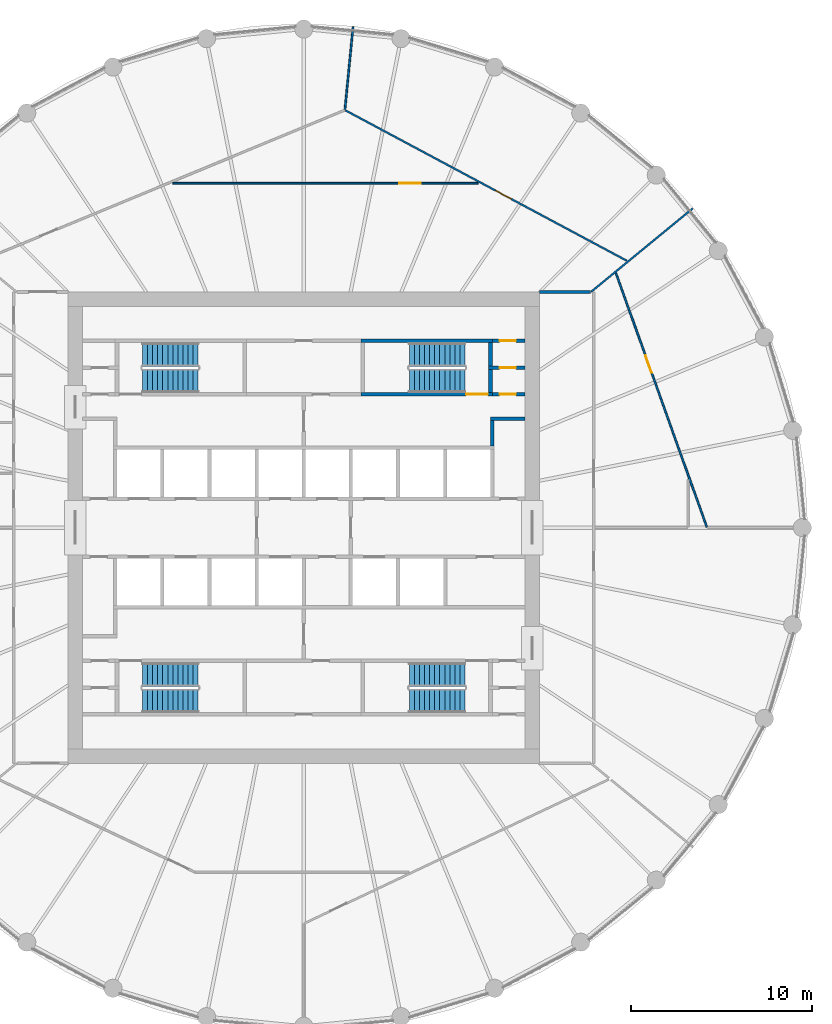
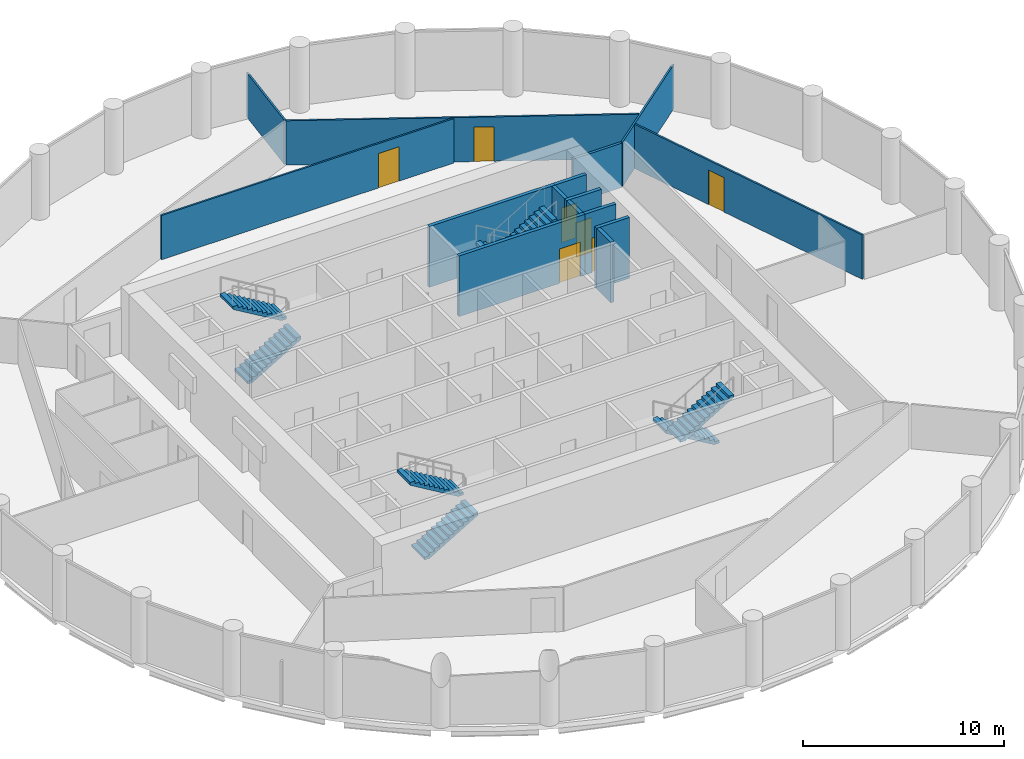
# One storey, part 7 of 8: 15 walls, 8 stair flights, 7 doors, 7 openings, 4 elements without a shape of their own.
"""IFC4 building model written with IfcOpenShell, lengths in metres."""

from ifc_helpers import new_model, si_unit, direction, frame, frame_2d, origin, place, context, subcontext, project, spatial, polyline, rectangle, outline, extrude, material, layer, layer_set, type_object, element, fill, aggregate, save


model = new_model("IFC4")

# Units and contexts
model_context = context("Model", 3, precision=1e-05, world=origin(), true_north=direction((0.0, 1.0)))
body_context = subcontext(model_context, "Body", "Model", "MODEL_VIEW")
ifc_project = project(units=[si_unit("LENGTHUNIT", "METRE"), si_unit("AREAUNIT", "SQUARE_METRE"), si_unit("VOLUMEUNIT", "CUBIC_METRE"), si_unit("PLANEANGLEUNIT", "RADIAN"), si_unit("MASSUNIT", "GRAM", prefix="KILO")], contexts=[model_context])

# Site, building, storey
site_placement = place(None, origin())
site = spatial("IfcSite", under=ifc_project, at=site_placement, CompositionType="ELEMENT")
building_placement = place(site_placement, origin())
building = spatial("IfcBuilding", under=site, at=building_placement, Name="Corvane Civic Tower", CompositionType="ELEMENT")
storey_placement = place(building_placement, frame((0.0, 0.0, 241.5)))
storey = spatial("IfcBuildingStorey", under=building, at=storey_placement, Name="L57", CompositionType="ELEMENT", Elevation=241.5)

# Wall, opening, door
ifc_material_1 = material(Name="Concrete C30/37", Category="concrete")
ifc_layer_1 = layer(ifc_material_1, 0.199951171875)
ifc_layer_set_1 = layer_set([ifc_layer_1], Name="Concrete C30/37")
wall_type_1 = type_object("IfcWallType", Name="CR-WALL-200", PredefinedType="PARTITIONING", material=ifc_layer_set_1)
wall_1_placement = place(storey_placement, frame((10.39990234375, 7.35009765625, 0.0), z_axis=(0.0, 0.0, 1.0), x_axis=(1.0, 0.0, 0.0)))
wall_1 = element("IfcWall", 1, at=wall_1_placement, inside=storey, type_object=wall_type_1, Name="L57 core partition wall", PredefinedType="PARTITIONING", context=body_context, shape_type="SweptSolid", body=[
    extrude(rectangle(XDim=1.800048828125, YDim=0.199951171875, at=frame_2d((0.89990234375, 0.0))), origin(), (0.0, 0.0, 1.0), 3.699951171875),
])
opening_1_placement = place(wall_1_placement, frame((0.39990234375, 0.0, 0.0)))
opening_1 = element("IfcOpeningElement", 2, at=opening_1_placement, cuts=wall_1, Name="Opening L57.C14", PredefinedType="OPENING", context=body_context, shape_type="SweptSolid", body=[
    extrude(rectangle(XDim=0.89990234375, YDim=2.10009765625, at=frame_2d((0.449951171875, 1.050048828125))), frame((0.0, 0.10986328125, 0.0), z_axis=(0.0, -1.0, 0.0), x_axis=(1.0, 0.0, 0.0)), (0.0, 0.0, 1.0), 0.219970703125),
])
ifc_material_2 = material(Name="Steel fire door leaf", Category="steel")
door_type_1 = type_object("IfcDoorType", Name="CR-DOOR-900", OperationType="SINGLE_SWING_LEFT", PredefinedType="DOOR", material=ifc_material_2)
door_1_placement = place(opening_1_placement, origin())
door_1 = element("IfcDoor", 3, at=door_1_placement, inside=storey, type_object=door_type_1, Name="L57 door", OperationType="SINGLE_SWING_LEFT", OverallHeight=2.10009765625, OverallWidth=0.89990234375, PredefinedType="DOOR", context=body_context, shape_type="SweptSolid", body=[
    extrude(rectangle(XDim=0.89990234375, YDim=2.10009765625, at=frame_2d((0.449951171875, 1.050048828125))), frame((0.0, 0.02490234375, 0.0), z_axis=(0.0, -1.0, 0.0), x_axis=(1.0, 0.0, 0.0)), (0.0, 0.0, 1.0), 0.050048828125),
])
fill(opening_1, door_1)

wall_2_placement = place(storey_placement, frame((10.199951171875, 8.824951171875, 0.0), z_axis=(0.0, 0.0, 1.0), x_axis=(1.0, 0.0, 0.0)))
wall_2 = element("IfcWall", 4, at=wall_2_placement, inside=storey, type_object=wall_type_1, Name="L57 partition wall", PredefinedType="PARTITIONING", context=body_context, shape_type="SweptSolid", body=[
    extrude(rectangle(XDim=2.0, YDim=0.199951171875, at=frame_2d((1.0, 0.0))), origin(), (0.0, 0.0, 1.0), 3.699951171875),
])
opening_2_placement = place(wall_2_placement, frame((0.60009765625, 0.0, 0.0)))
opening_2 = element("IfcOpeningElement", 5, at=opening_2_placement, cuts=wall_2, Name="Opening L57.C15", PredefinedType="OPENING", context=body_context, shape_type="SweptSolid", body=[
    extrude(rectangle(XDim=0.89990234375, YDim=2.10009765625, at=frame_2d((0.449951171875, 1.050048828125))), frame((0.0, 0.10986328125, 0.0), z_axis=(0.0, -1.0, 0.0), x_axis=(1.0, 0.0, 0.0)), (0.0, 0.0, 1.0), 0.219970703125),
])
door_2_placement = place(opening_2_placement, origin())
door_2 = element("IfcDoor", 6, at=door_2_placement, inside=storey, type_object=door_type_1, Name="L57 door", OperationType="SINGLE_SWING_LEFT", OverallHeight=2.10009765625, OverallWidth=0.89990234375, PredefinedType="DOOR", context=body_context, shape_type="SweptSolid", body=[
    extrude(rectangle(XDim=0.89990234375, YDim=2.10009765625, at=frame_2d((0.449951171875, 1.050048828125))), frame((0.0, 0.02490234375, 0.0), z_axis=(0.0, -1.0, 0.0), x_axis=(1.0, 0.0, 0.0)), (0.0, 0.0, 1.0), 0.050048828125),
])
fill(opening_2, door_2)

wall_3_placement = place(storey_placement, frame((10.39990234375, 10.300048828125, 0.0), z_axis=(0.0, 0.0, 1.0), x_axis=(1.0, 0.0, 0.0)))
wall_3 = element("IfcWall", 7, at=wall_3_placement, inside=storey, type_object=wall_type_1, Name="L57 partition wall", PredefinedType="PARTITIONING", context=body_context, shape_type="SweptSolid", body=[
    extrude(rectangle(XDim=1.800048828125, YDim=0.199951171875, at=frame_2d((0.89990234375, 0.0))), origin(), (0.0, 0.0, 1.0), 3.699951171875),
])
opening_3_placement = place(wall_3_placement, frame((0.39990234375, 0.0, 0.0)))
opening_3 = element("IfcOpeningElement", 8, at=opening_3_placement, cuts=wall_3, Name="Opening L57.C16", PredefinedType="OPENING", context=body_context, shape_type="SweptSolid", body=[
    extrude(rectangle(XDim=0.89990234375, YDim=2.10009765625, at=frame_2d((0.449951171875, 1.050048828125))), frame((0.0, 0.10986328125, 0.0), z_axis=(0.0, -1.0, 0.0), x_axis=(1.0, 0.0, 0.0)), (0.0, 0.0, 1.0), 0.219970703125),
])
door_3_placement = place(opening_3_placement, origin())
door_3 = element("IfcDoor", 9, at=door_3_placement, inside=storey, type_object=door_type_1, Name="L57 door", OperationType="SINGLE_SWING_LEFT", OverallHeight=2.10009765625, OverallWidth=0.89990234375, PredefinedType="DOOR", context=body_context, shape_type="SweptSolid", body=[
    extrude(rectangle(XDim=0.89990234375, YDim=2.10009765625, at=frame_2d((0.449951171875, 1.050048828125))), frame((0.0, 0.02490234375, 0.0), z_axis=(0.0, -1.0, 0.0), x_axis=(1.0, 0.0, 0.0)), (0.0, 0.0, 1.0), 0.050048828125),
])
fill(opening_3, door_3)

# Walls
wall_4_placement = place(storey_placement, origin())
element("IfcWall", 10, at=wall_4_placement, inside=storey, type_object=wall_type_1, Name="L57 core partition wall", PredefinedType="PARTITIONING", context=body_context, shape_type="SweptSolid", body=[
    extrude(outline(polyline([(12.199951171875, 5.89990234375), (10.300048828125, 5.89990234375), (10.300048828125, 6.10009765625), (12.199951171875, 6.10009765625), (12.199951171875, 5.89990234375)])), origin(), (0.0, 0.0, 1.0), 3.699951171875),
])
wall_5_placement = place(storey_placement, origin())
element("IfcWall", 11, at=wall_5_placement, inside=storey, type_object=wall_type_1, Name="L57 core partition wall", PredefinedType="PARTITIONING", context=body_context, shape_type="SweptSolid", body=[
    extrude(outline(polyline([(10.5, 4.5), (10.300048828125, 4.5), (10.300048828125, 5.89990234375), (10.5, 5.89990234375), (10.5, 4.5)])), origin(), (0.0, 0.0, 1.0), 3.699951171875),
])

# Wall, opening, door
ifc_material_3 = material(Name="Plasterboard")
ifc_layer_2 = layer(ifc_material_3, 0.10009765625)
ifc_layer_set_2 = layer_set([ifc_layer_2], Name="Plasterboard")
wall_type_2 = type_object("IfcWallType", Name="Partition 100 plasterboard on studs", PredefinedType="PARTITIONING", material=ifc_layer_set_2)
wall_6_placement = place(storey_placement, frame((17.218505859375, 14.044189453125, 0.0), z_axis=(0.0, 0.0, 1.0), x_axis=(0.336888216566, -0.941544650847, 0.0)))
wall_6 = element("IfcWall", 12, at=wall_6_placement, inside=storey, type_object=wall_type_2, Name="Partition L57.016", PredefinedType="PARTITIONING", context=body_context, shape_type="SweptSolid", body=[
    extrude(rectangle(XDim=14.880859375, YDim=0.10009765625, at=frame_2d((7.4404296875, 0.0))), origin(), (0.0, 0.0, 1.0), 2.699951171875),
])
opening_4_placement = place(wall_6_placement, frame((4.838623046875, 0.0, 0.0)))
opening_4 = element("IfcOpeningElement", 13, at=opening_4_placement, cuts=wall_6, Name="Opening L57.008", PredefinedType="OPENING", context=body_context, shape_type="SweptSolid", body=[
    extrude(rectangle(XDim=1.0, YDim=2.10009765625, at=frame_2d((0.5, 1.050048828125))), frame((0.0, 0.06005859375, 0.0), z_axis=(0.0, -1.0, 0.0), x_axis=(1.0, 0.0, 0.0)), (0.0, 0.0, 1.0), 0.1201171875),
])
ifc_material_4 = material(Name="Timber", Category="wood")
door_type_2 = type_object("IfcDoorType", Name="Single door 1000", OperationType="NOTDEFINED", PredefinedType="DOOR", material=ifc_material_4)
door_4_placement = place(opening_4_placement, origin())
door_4 = element("IfcDoor", 14, at=door_4_placement, inside=storey, type_object=door_type_2, Name="Door L57.008", OperationType="SINGLE_SWING_LEFT", OverallHeight=2.10009765625, OverallWidth=1.0, PredefinedType="DOOR", context=body_context, shape_type="SweptSolid", body=[
    extrude(rectangle(XDim=1.0, YDim=2.10009765625, at=frame_2d((0.5, 1.050048828125))), frame((0.0, 0.02490234375, 0.0), z_axis=(0.0, -1.0, 0.0), x_axis=(1.0, 0.0, 0.0)), (0.0, 0.0, 1.0), 0.050048828125),
])
fill(opening_4, door_4)

# Wall
wall_7_placement = place(storey_placement, frame((15.8544921875, 13.01123046875, 0.0), z_axis=(0.0, 0.0, 1.0), x_axis=(0.772997895748, 0.634408585352, 0.0)))
element("IfcWall", 15, at=wall_7_placement, inside=storey, type_object=wall_type_2, Name="Partition L57.027", PredefinedType="PARTITIONING", context=body_context, shape_type="SweptSolid", body=[
    extrude(rectangle(XDim=7.240234375, YDim=0.10009765625, at=frame_2d((3.6201171875, 0.0))), origin(), (0.0, 0.0, 1.0), 2.699951171875),
])

# Wall, opening, door
wall_8_placement = place(storey_placement, frame((2.298095703125, 23.017333984375, 0.0), z_axis=(0.0, 0.0, 1.0), x_axis=(0.881923418912, -0.471392705899, 0.0)))
wall_8 = element("IfcWall", 16, at=wall_8_placement, inside=storey, type_object=wall_type_2, Name="Partition L57.029", PredefinedType="PARTITIONING", context=body_context, shape_type="SweptSolid", body=[
    extrude(rectangle(XDim=17.60595703125, YDim=0.10009765625, at=frame_2d((8.802978515625, 0.0))), origin(), (0.0, 0.0, 1.0), 2.699951171875),
])
opening_5_placement = place(wall_8_placement, frame((9.381591796875, 0.0, 0.0)))
opening_5 = element("IfcOpeningElement", 17, at=opening_5_placement, cuts=wall_8, Name="Opening L57.002", PredefinedType="OPENING", context=body_context, shape_type="SweptSolid", body=[
    extrude(rectangle(XDim=1.0, YDim=2.10009765625, at=frame_2d((0.5, 1.050048828125))), frame((0.0, 0.06005859375, 0.0), z_axis=(0.0, -1.0, 0.0), x_axis=(1.0, 0.0, 0.0)), (0.0, 0.0, 1.0), 0.1201171875),
])
door_5_placement = place(opening_5_placement, origin())
door_5 = element("IfcDoor", 18, at=door_5_placement, inside=storey, type_object=door_type_2, Name="Door L57.002", OperationType="SINGLE_SWING_LEFT", OverallHeight=2.10009765625, OverallWidth=1.0, PredefinedType="DOOR", context=body_context, shape_type="SweptSolid", body=[
    extrude(rectangle(XDim=1.0, YDim=2.10009765625, at=frame_2d((0.5, 1.050048828125))), frame((0.0, 0.02490234375, 0.0), z_axis=(0.0, -1.0, 0.0), x_axis=(1.0, 0.0, 0.0)), (0.0, 0.0, 1.0), 0.050048828125),
])
fill(opening_5, door_5)

wall_9_placement = place(storey_placement, frame((-7.217041015625, 19.0, 0.0), z_axis=(0.0, 0.0, 1.0), x_axis=(1.0, 0.0, 0.0)))
wall_9 = element("IfcWall", 19, at=wall_9_placement, inside=storey, type_object=wall_type_2, Name="Partition L57.030", PredefinedType="PARTITIONING", context=body_context, shape_type="SweptSolid", body=[
    extrude(rectangle(XDim=16.83154296875, YDim=0.10009765625, at=frame_2d((8.415771484375, 0.0))), origin(), (0.0, 0.0, 1.0), 2.699951171875),
])
opening_6_placement = place(wall_9_placement, frame((12.481201171875, 0.0, 0.0)))
opening_6 = element("IfcOpeningElement", 20, at=opening_6_placement, cuts=wall_9, Name="Opening L57.003", PredefinedType="OPENING", context=body_context, shape_type="SweptSolid", body=[
    extrude(rectangle(XDim=1.199951171875, YDim=2.10009765625, at=frame_2d((0.60009765625, 1.050048828125))), frame((0.0, 0.06005859375, 0.0), z_axis=(0.0, -1.0, 0.0), x_axis=(1.0, 0.0, 0.0)), (0.0, 0.0, 1.0), 0.1201171875),
])
ifc_material_5 = material(Name="Timber", Category="wood")
door_type_3 = type_object("IfcDoorType", Name="Double door 1200", OperationType="NOTDEFINED", PredefinedType="DOOR", material=ifc_material_5)
door_6_placement = place(opening_6_placement, origin())
door_6 = element("IfcDoor", 21, at=door_6_placement, inside=storey, type_object=door_type_3, Name="Door L57.003", OperationType="DOUBLE_DOOR_SINGLE_SWING", OverallHeight=2.10009765625, OverallWidth=1.199951171875, PredefinedType="DOOR", context=body_context, shape_type="SweptSolid", body=[
    extrude(rectangle(XDim=1.199951171875, YDim=2.10009765625, at=frame_2d((0.60009765625, 1.050048828125))), frame((0.0, 0.02490234375, 0.0), z_axis=(0.0, -1.0, 0.0), x_axis=(1.0, 0.0, 0.0)), (0.0, 0.0, 1.0), 0.050048828125),
])
fill(opening_6, door_6)

# Wall
wall_10_placement = place(storey_placement, frame((2.271728515625, 23.06640625, 0.0), z_axis=(0.0, 0.0, 1.0), x_axis=(0.09803912551, 0.995182561076, 0.0)))
element("IfcWall", 22, at=wall_10_placement, inside=storey, type_object=wall_type_2, Name="Partition L57.031", PredefinedType="PARTITIONING", context=body_context, shape_type="SweptSolid", body=[
    extrude(rectangle(XDim=4.572021484375, YDim=0.10009765625, at=frame_2d((2.2861328125, 0.0))), origin(), (0.0, 0.0, 1.0), 2.699951171875),
])

# Wall, opening, door
ifc_material_6 = material(Name="Concrete C50/60", Category="concrete")
ifc_layer_3 = layer(ifc_material_6, 0.199951171875)
ifc_layer_set_3 = layer_set([ifc_layer_3], Name="Concrete C50/60")
wall_type_3 = type_object("IfcWallType", Name="ST-WALL-200", PredefinedType="SHEAR", material=ifc_layer_set_3)
wall_11_placement = place(storey_placement, frame((3.14990234375, 7.35009765625, 0.0), z_axis=(0.0, 0.0, 1.0), x_axis=(1.0, 0.0, 0.0)))
wall_11 = element("IfcWall", 23, at=wall_11_placement, inside=storey, type_object=wall_type_3, Name="L57 stair enclosure wall", PredefinedType="SHEAR", context=body_context, shape_type="SweptSolid", body=[
    extrude(rectangle(XDim=7.25, YDim=0.199951171875, at=frame_2d((3.625, 0.0))), origin(), (0.0, 0.0, 1.0), 3.699951171875),
])
opening_7_placement = place(wall_11_placement, frame((5.800048828125, 0.0, 0.0)))
opening_7 = element("IfcOpeningElement", 24, at=opening_7_placement, cuts=wall_11, Name="Opening L57.C20", PredefinedType="OPENING", context=body_context, shape_type="SweptSolid", body=[
    extrude(rectangle(XDim=1.199951171875, YDim=2.10009765625, at=frame_2d((0.60009765625, 1.050048828125))), frame((0.0, 0.10986328125, 0.0), z_axis=(0.0, -1.0, 0.0), x_axis=(1.0, 0.0, 0.0)), (0.0, 0.0, 1.0), 0.219970703125),
])
ifc_material_7 = material(Name="Steel fire door leaf", Category="steel")
door_type_4 = type_object("IfcDoorType", Name="ST-DOOR-1200", OperationType="SINGLE_SWING_RIGHT", PredefinedType="DOOR", material=ifc_material_7)
door_7_placement = place(opening_7_placement, origin())
door_7 = element("IfcDoor", 25, at=door_7_placement, inside=storey, type_object=door_type_4, Name="L57 stair door", OperationType="SINGLE_SWING_RIGHT", OverallHeight=2.10009765625, OverallWidth=1.199951171875, PredefinedType="DOOR", context=body_context, shape_type="SweptSolid", body=[
    extrude(rectangle(XDim=1.199951171875, YDim=2.10009765625, at=frame_2d((0.60009765625, 1.050048828125))), frame((0.0, 0.02490234375, 0.0), z_axis=(0.0, -1.0, 0.0), x_axis=(1.0, 0.0, 0.0)), (0.0, 0.0, 1.0), 0.050048828125),
])
fill(opening_7, door_7)

# Walls
wall_12_placement = place(storey_placement, origin())
element("IfcWall", 26, at=wall_12_placement, inside=storey, type_object=wall_type_3, Name="L57 stair enclosure wall", PredefinedType="SHEAR", context=body_context, shape_type="SweptSolid", body=[
    extrude(outline(polyline([(10.39990234375, 10.199951171875), (3.14990234375, 10.199951171875), (3.14990234375, 10.39990234375), (10.39990234375, 10.39990234375), (10.39990234375, 10.199951171875)])), origin(), (0.0, 0.0, 1.0), 3.699951171875),
])
wall_13_placement = place(storey_placement, origin())
element("IfcWall", 27, at=wall_13_placement, inside=storey, type_object=wall_type_3, Name="L57 stair enclosure wall", PredefinedType="SHEAR", context=body_context, shape_type="SweptSolid", body=[
    extrude(outline(polyline([(10.39990234375, 8.72509765625), (10.39990234375, 7.449951171875), (10.199951171875, 7.449951171875), (10.199951171875, 8.72509765625), (10.39990234375, 8.72509765625)])), origin(), (0.0, 0.0, 1.0), 3.699951171875),
])
wall_14_placement = place(storey_placement, origin())
element("IfcWall", 28, at=wall_14_placement, inside=storey, type_object=wall_type_3, Name="L57 stair enclosure wall", PredefinedType="SHEAR", context=body_context, shape_type="SweptSolid", body=[
    extrude(outline(polyline([(10.39990234375, 8.925048828125), (10.199951171875, 8.925048828125), (10.199951171875, 10.199951171875), (10.39990234375, 10.199951171875), (10.39990234375, 8.925048828125)])), origin(), (0.0, 0.0, 1.0), 3.699951171875),
])
ifc_material_8 = material(Name="Plasterboard")
ifc_layer_4 = layer(ifc_material_8, 0.14990234375)
ifc_layer_set_4 = layer_set([ifc_layer_4], Name="Plasterboard")
wall_type_4 = type_object("IfcWallType", Name="Tenancy wall 150 EI 60", PredefinedType="PARTITIONING", material=ifc_layer_set_4)
wall_15_placement = place(storey_placement, frame((12.989990234375, 13.0, 0.0), z_axis=(0.0, 0.0, 1.0), x_axis=(1.0, 0.0, 0.0)))
element("IfcWall", 29, at=wall_15_placement, inside=storey, type_object=wall_type_4, Name="Partition L57.025", PredefinedType="PARTITIONING", context=body_context, shape_type="SweptSolid", body=[
    extrude(rectangle(XDim=2.82373046875, YDim=0.14990234375, at=frame_2d((1.411865234375, 0.0))), origin(), (0.0, 0.0, 1.0), 2.699951171875),
])

# Stair, stair flights
ifc_material_9 = material(Name="Concrete C40/50", Category="concrete")
stair_type = type_object("IfcStairType", Name="ST-STAIR-HALFTURN", PredefinedType="HALF_TURN_STAIR", material=ifc_material_9)
stair_1_placement = place(storey_placement, origin())
stair_1 = element("IfcStair", 30, at=stair_1_placement, inside=storey, type_object=stair_type, Name="L57 Exit stair ST1", PredefinedType="HALF_TURN_STAIR")
ifc_material_10 = material(Name="Concrete C40/50", Category="concrete")
stair_flight_type = type_object("IfcStairFlightType", Name="ST-FLIGHT-RC", PredefinedType="STRAIGHT", material=ifc_material_10)
stair_flight_1_placement = place(storey_placement, frame((8.89990234375, 9.550048828125, 0.0), z_axis=(0.0, 0.0, 1.0), x_axis=(-1.0, 0.0, 0.0)))
stair_flight_1 = element("IfcStairFlight", 31, at=stair_flight_1_placement, type_object=stair_flight_type, Name="ST1 flight 1", NumberOfRisers=12, NumberOfTreads=11, PredefinedType="STRAIGHT", RiserHeight=0.166666667, TreadLength=0.28, context=body_context, shape_type="SweptSolid", body=[
    extrude(outline(polyline([(0.0, 0.0), (0.0, 0.166748046875), (0.280029296875, 0.166748046875), (0.280029296875, 0.333251953125), (0.56005859375, 0.333251953125), (0.56005859375, 0.5), (0.840087890625, 0.5), (0.840087890625, 0.666748046875), (1.1201171875, 0.666748046875), (1.1201171875, 0.833251953125), (1.39990234375, 0.833251953125), (1.39990234375, 1.0), (1.679931640625, 1.0), (1.679931640625, 1.166748046875), (1.9599609375, 1.166748046875), (1.9599609375, 1.333251953125), (2.239990234375, 1.333251953125), (2.239990234375, 1.5), (2.52001953125, 1.5), (2.52001953125, 1.666748046875), (2.800048828125, 1.666748046875), (2.800048828125, 1.833251953125), (3.080078125, 1.833251953125), (3.080078125, 2.0), (3.080078125, 1.658935546875), (0.29296875, 0.0), (0.0, 0.0)])), frame((0.0, 0.64990234375, 0.0), z_axis=(0.0, -1.0, 0.0), x_axis=(1.0, 0.0, 0.0)), (0.0, 0.0, 1.0), 1.300048828125),
])
stair_flight_2_placement = place(storey_placement, frame((5.820068359375, 8.10009765625, 2.0), z_axis=(0.0, 0.0, 1.0), x_axis=(1.0, 0.0, 0.0)))
stair_flight_2 = element("IfcStairFlight", 32, at=stair_flight_2_placement, type_object=stair_flight_type, Name="ST1 flight 2", NumberOfRisers=12, NumberOfTreads=11, PredefinedType="STRAIGHT", RiserHeight=0.166666667, TreadLength=0.28, context=body_context, shape_type="SweptSolid", body=[
    extrude(outline(polyline([(0.0, 0.0), (0.0, 0.166748046875), (0.280029296875, 0.166748046875), (0.280029296875, 0.333251953125), (0.56005859375, 0.333251953125), (0.56005859375, 0.5), (0.840087890625, 0.5), (0.840087890625, 0.666748046875), (1.1201171875, 0.666748046875), (1.1201171875, 0.833251953125), (1.39990234375, 0.833251953125), (1.39990234375, 1.0), (1.679931640625, 1.0), (1.679931640625, 1.166748046875), (1.9599609375, 1.166748046875), (1.9599609375, 1.333251953125), (2.239990234375, 1.333251953125), (2.239990234375, 1.5), (2.52001953125, 1.5), (2.52001953125, 1.666748046875), (2.800048828125, 1.666748046875), (2.800048828125, 1.833251953125), (3.080078125, 1.833251953125), (3.080078125, 2.0), (3.080078125, 1.658935546875), (0.29296875, 0.0), (0.0, 0.0)])), frame((0.0, 0.64990234375, 0.0), z_axis=(0.0, -1.0, 0.0), x_axis=(1.0, 0.0, 0.0)), (0.0, 0.0, 1.0), 1.300048828125),
])
aggregate(stair_1, [stair_flight_1, stair_flight_2])

stair_2_placement = place(storey_placement, origin())
stair_2 = element("IfcStair", 33, at=stair_2_placement, inside=storey, type_object=stair_type, Name="L57 Exit stair ST2", PredefinedType="HALF_TURN_STAIR")
stair_flight_3_placement = place(storey_placement, frame((8.89990234375, -8.10009765625, 0.0), z_axis=(0.0, 0.0, 1.0), x_axis=(-1.0, 0.0, 0.0)))
stair_flight_3 = element("IfcStairFlight", 34, at=stair_flight_3_placement, type_object=stair_flight_type, Name="ST2 flight 1", NumberOfRisers=12, NumberOfTreads=11, PredefinedType="STRAIGHT", RiserHeight=0.166666667, TreadLength=0.28, context=body_context, shape_type="SweptSolid", body=[
    extrude(outline(polyline([(0.0, 0.0), (0.0, 0.166748046875), (0.280029296875, 0.166748046875), (0.280029296875, 0.333251953125), (0.56005859375, 0.333251953125), (0.56005859375, 0.5), (0.840087890625, 0.5), (0.840087890625, 0.666748046875), (1.1201171875, 0.666748046875), (1.1201171875, 0.833251953125), (1.39990234375, 0.833251953125), (1.39990234375, 1.0), (1.679931640625, 1.0), (1.679931640625, 1.166748046875), (1.9599609375, 1.166748046875), (1.9599609375, 1.333251953125), (2.239990234375, 1.333251953125), (2.239990234375, 1.5), (2.52001953125, 1.5), (2.52001953125, 1.666748046875), (2.800048828125, 1.666748046875), (2.800048828125, 1.833251953125), (3.080078125, 1.833251953125), (3.080078125, 2.0), (3.080078125, 1.658935546875), (0.29296875, 0.0), (0.0, 0.0)])), frame((0.0, 0.64990234375, 0.0), z_axis=(0.0, -1.0, 0.0), x_axis=(1.0, 0.0, 0.0)), (0.0, 0.0, 1.0), 1.300048828125),
])
stair_flight_4_placement = place(storey_placement, frame((5.820068359375, -9.550048828125, 2.0), z_axis=(0.0, 0.0, 1.0), x_axis=(1.0, 0.0, 0.0)))
stair_flight_4 = element("IfcStairFlight", 35, at=stair_flight_4_placement, type_object=stair_flight_type, Name="ST2 flight 2", NumberOfRisers=12, NumberOfTreads=11, PredefinedType="STRAIGHT", RiserHeight=0.166666667, TreadLength=0.28, context=body_context, shape_type="SweptSolid", body=[
    extrude(outline(polyline([(0.0, 0.0), (0.0, 0.166748046875), (0.280029296875, 0.166748046875), (0.280029296875, 0.333251953125), (0.56005859375, 0.333251953125), (0.56005859375, 0.5), (0.840087890625, 0.5), (0.840087890625, 0.666748046875), (1.1201171875, 0.666748046875), (1.1201171875, 0.833251953125), (1.39990234375, 0.833251953125), (1.39990234375, 1.0), (1.679931640625, 1.0), (1.679931640625, 1.166748046875), (1.9599609375, 1.166748046875), (1.9599609375, 1.333251953125), (2.239990234375, 1.333251953125), (2.239990234375, 1.5), (2.52001953125, 1.5), (2.52001953125, 1.666748046875), (2.800048828125, 1.666748046875), (2.800048828125, 1.833251953125), (3.080078125, 1.833251953125), (3.080078125, 2.0), (3.080078125, 1.658935546875), (0.29296875, 0.0), (0.0, 0.0)])), frame((0.0, 0.64990234375, 0.0), z_axis=(0.0, -1.0, 0.0), x_axis=(1.0, 0.0, 0.0)), (0.0, 0.0, 1.0), 1.300048828125),
])
aggregate(stair_2, [stair_flight_3, stair_flight_4])

stair_3_placement = place(storey_placement, origin())
stair_3 = element("IfcStair", 36, at=stair_3_placement, inside=storey, type_object=stair_type, Name="L57 Exit stair ST3", PredefinedType="HALF_TURN_STAIR")
stair_flight_5_placement = place(storey_placement, frame((-8.89990234375, -9.550048828125, 0.0), z_axis=(0.0, 0.0, 1.0), x_axis=(1.0, 0.0, 0.0)))
stair_flight_5 = element("IfcStairFlight", 37, at=stair_flight_5_placement, type_object=stair_flight_type, Name="ST3 flight 1", NumberOfRisers=12, NumberOfTreads=11, PredefinedType="STRAIGHT", RiserHeight=0.166666667, TreadLength=0.28, context=body_context, shape_type="SweptSolid", body=[
    extrude(outline(polyline([(0.0, 0.0), (0.0, 0.166748046875), (0.280029296875, 0.166748046875), (0.280029296875, 0.333251953125), (0.56005859375, 0.333251953125), (0.56005859375, 0.5), (0.840087890625, 0.5), (0.840087890625, 0.666748046875), (1.1201171875, 0.666748046875), (1.1201171875, 0.833251953125), (1.39990234375, 0.833251953125), (1.39990234375, 1.0), (1.679931640625, 1.0), (1.679931640625, 1.166748046875), (1.9599609375, 1.166748046875), (1.9599609375, 1.333251953125), (2.239990234375, 1.333251953125), (2.239990234375, 1.5), (2.52001953125, 1.5), (2.52001953125, 1.666748046875), (2.800048828125, 1.666748046875), (2.800048828125, 1.833251953125), (3.080078125, 1.833251953125), (3.080078125, 2.0), (3.080078125, 1.658935546875), (0.29296875, 0.0), (0.0, 0.0)])), frame((0.0, 0.64990234375, 0.0), z_axis=(0.0, -1.0, 0.0), x_axis=(1.0, 0.0, 0.0)), (0.0, 0.0, 1.0), 1.300048828125),
])
stair_flight_6_placement = place(storey_placement, frame((-5.820068359375, -8.10009765625, 2.0), z_axis=(0.0, 0.0, 1.0), x_axis=(-1.0, 0.0, 0.0)))
stair_flight_6 = element("IfcStairFlight", 38, at=stair_flight_6_placement, type_object=stair_flight_type, Name="ST3 flight 2", NumberOfRisers=12, NumberOfTreads=11, PredefinedType="STRAIGHT", RiserHeight=0.166666667, TreadLength=0.28, context=body_context, shape_type="SweptSolid", body=[
    extrude(outline(polyline([(0.0, 0.0), (0.0, 0.166748046875), (0.280029296875, 0.166748046875), (0.280029296875, 0.333251953125), (0.56005859375, 0.333251953125), (0.56005859375, 0.5), (0.840087890625, 0.5), (0.840087890625, 0.666748046875), (1.1201171875, 0.666748046875), (1.1201171875, 0.833251953125), (1.39990234375, 0.833251953125), (1.39990234375, 1.0), (1.679931640625, 1.0), (1.679931640625, 1.166748046875), (1.9599609375, 1.166748046875), (1.9599609375, 1.333251953125), (2.239990234375, 1.333251953125), (2.239990234375, 1.5), (2.52001953125, 1.5), (2.52001953125, 1.666748046875), (2.800048828125, 1.666748046875), (2.800048828125, 1.833251953125), (3.080078125, 1.833251953125), (3.080078125, 2.0), (3.080078125, 1.658935546875), (0.29296875, 0.0), (0.0, 0.0)])), frame((0.0, 0.64990234375, 0.0), z_axis=(0.0, -1.0, 0.0), x_axis=(1.0, 0.0, 0.0)), (0.0, 0.0, 1.0), 1.300048828125),
])
aggregate(stair_3, [stair_flight_5, stair_flight_6])

stair_4_placement = place(storey_placement, origin())
stair_4 = element("IfcStair", 39, at=stair_4_placement, inside=storey, type_object=stair_type, Name="L57 Exit stair ST4", PredefinedType="HALF_TURN_STAIR")
stair_flight_7_placement = place(storey_placement, frame((-8.89990234375, 8.10009765625, 0.0), z_axis=(0.0, 0.0, 1.0), x_axis=(1.0, 0.0, 0.0)))
stair_flight_7 = element("IfcStairFlight", 40, at=stair_flight_7_placement, type_object=stair_flight_type, Name="ST4 flight 1", NumberOfRisers=12, NumberOfTreads=11, PredefinedType="STRAIGHT", RiserHeight=0.166666667, TreadLength=0.28, context=body_context, shape_type="SweptSolid", body=[
    extrude(outline(polyline([(0.0, 0.0), (0.0, 0.166748046875), (0.280029296875, 0.166748046875), (0.280029296875, 0.333251953125), (0.56005859375, 0.333251953125), (0.56005859375, 0.5), (0.840087890625, 0.5), (0.840087890625, 0.666748046875), (1.1201171875, 0.666748046875), (1.1201171875, 0.833251953125), (1.39990234375, 0.833251953125), (1.39990234375, 1.0), (1.679931640625, 1.0), (1.679931640625, 1.166748046875), (1.9599609375, 1.166748046875), (1.9599609375, 1.333251953125), (2.239990234375, 1.333251953125), (2.239990234375, 1.5), (2.52001953125, 1.5), (2.52001953125, 1.666748046875), (2.800048828125, 1.666748046875), (2.800048828125, 1.833251953125), (3.080078125, 1.833251953125), (3.080078125, 2.0), (3.080078125, 1.658935546875), (0.29296875, 0.0), (0.0, 0.0)])), frame((0.0, 0.64990234375, 0.0), z_axis=(0.0, -1.0, 0.0), x_axis=(1.0, 0.0, 0.0)), (0.0, 0.0, 1.0), 1.300048828125),
])
stair_flight_8_placement = place(storey_placement, frame((-5.820068359375, 9.550048828125, 2.0), z_axis=(0.0, 0.0, 1.0), x_axis=(-1.0, 0.0, 0.0)))
stair_flight_8 = element("IfcStairFlight", 41, at=stair_flight_8_placement, type_object=stair_flight_type, Name="ST4 flight 2", NumberOfRisers=12, NumberOfTreads=11, PredefinedType="STRAIGHT", RiserHeight=0.166666667, TreadLength=0.28, context=body_context, shape_type="SweptSolid", body=[
    extrude(outline(polyline([(0.0, 0.0), (0.0, 0.166748046875), (0.280029296875, 0.166748046875), (0.280029296875, 0.333251953125), (0.56005859375, 0.333251953125), (0.56005859375, 0.5), (0.840087890625, 0.5), (0.840087890625, 0.666748046875), (1.1201171875, 0.666748046875), (1.1201171875, 0.833251953125), (1.39990234375, 0.833251953125), (1.39990234375, 1.0), (1.679931640625, 1.0), (1.679931640625, 1.166748046875), (1.9599609375, 1.166748046875), (1.9599609375, 1.333251953125), (2.239990234375, 1.333251953125), (2.239990234375, 1.5), (2.52001953125, 1.5), (2.52001953125, 1.666748046875), (2.800048828125, 1.666748046875), (2.800048828125, 1.833251953125), (3.080078125, 1.833251953125), (3.080078125, 2.0), (3.080078125, 1.658935546875), (0.29296875, 0.0), (0.0, 0.0)])), frame((0.0, 0.64990234375, 0.0), z_axis=(0.0, -1.0, 0.0), x_axis=(1.0, 0.0, 0.0)), (0.0, 0.0, 1.0), 1.300048828125),
])
aggregate(stair_4, [stair_flight_7, stair_flight_8])

save(model, "model.ifc")
